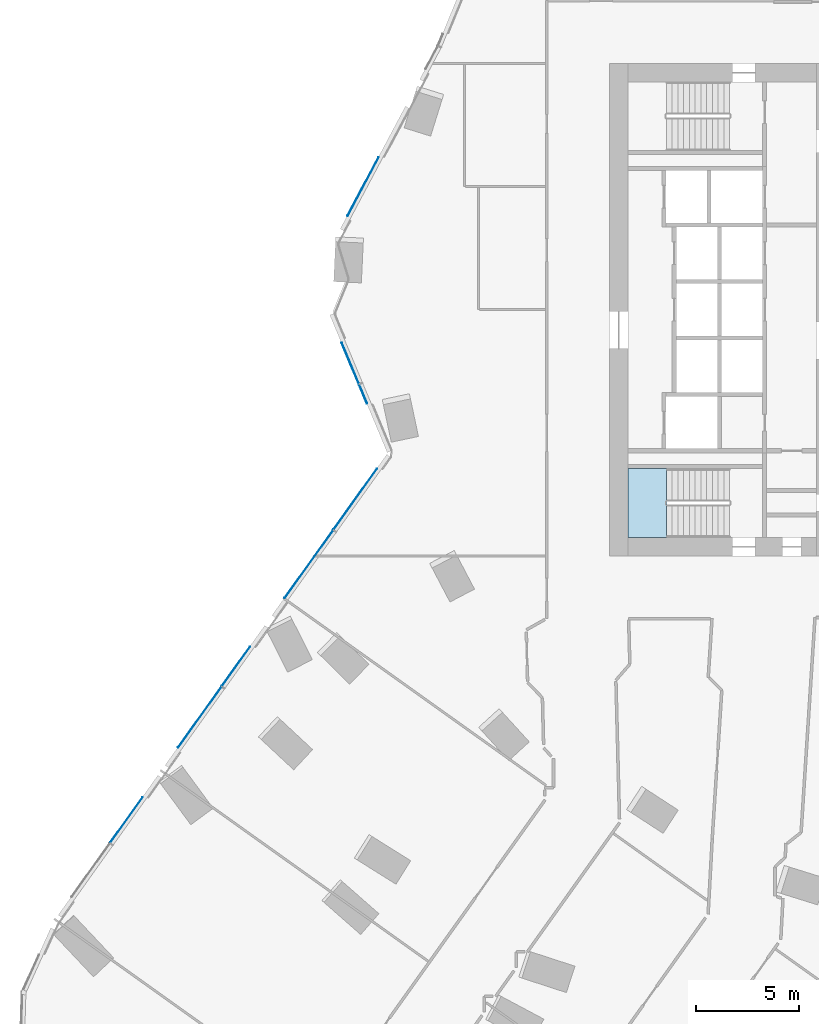
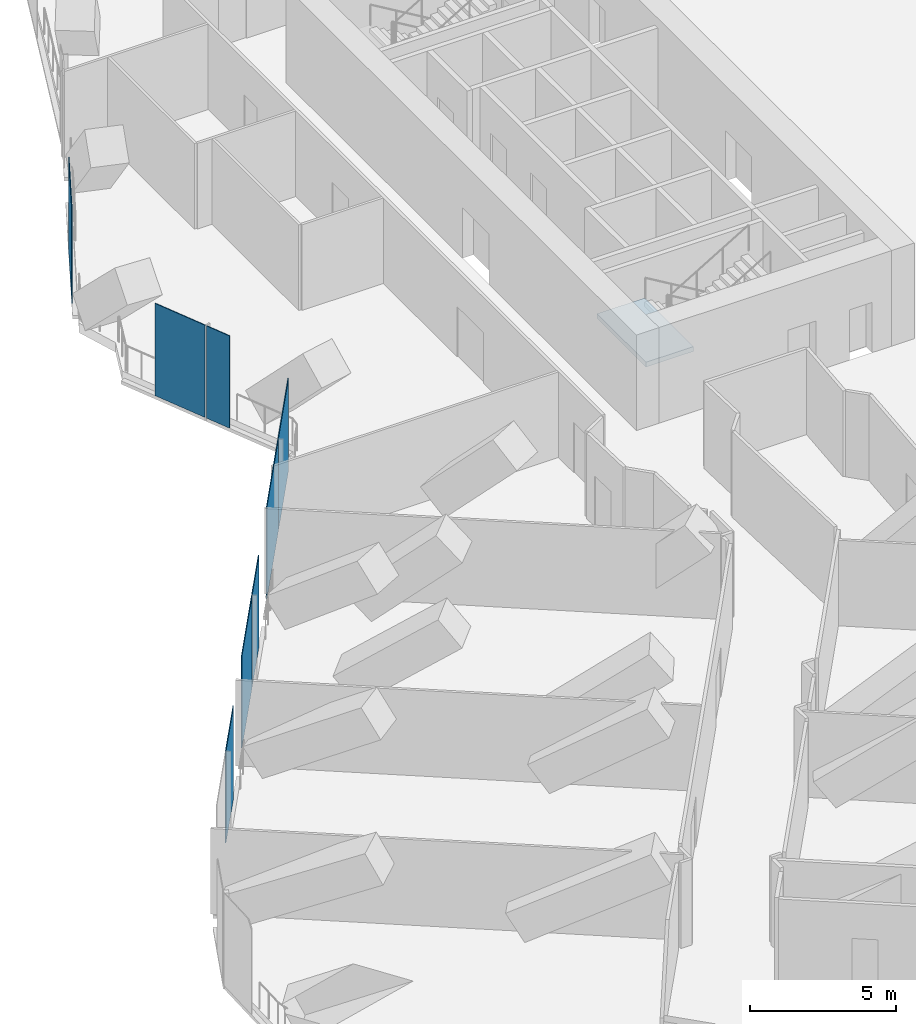
# One storey, part 19 of 34: 8 plates, 1 slab, 4 elements without a shape of their own.
"""IFC4 building model written with IfcOpenShell, lengths in metres."""

from ifc_helpers import new_model, si_unit, direction, frame, origin, origin_2d, place, context, subcontext, project, spatial, polyline, rectangle, outline, extrude, material, layer, layer_set, type_object, element, aggregate, save


model = new_model("IFC4")

# Units and contexts
model_context = context("Model", 3, precision=1e-05, world=origin(), true_north=direction((0.0, 1.0)))
body_context = subcontext(model_context, "Body", "Model", "MODEL_VIEW")
ifc_project = project(units=[si_unit("LENGTHUNIT", "METRE"), si_unit("AREAUNIT", "SQUARE_METRE"), si_unit("VOLUMEUNIT", "CUBIC_METRE"), si_unit("PLANEANGLEUNIT", "RADIAN"), si_unit("MASSUNIT", "GRAM", prefix="KILO")], contexts=[model_context])

# Site, building, storey
site_placement = place(None, origin())
site = spatial("IfcSite", under=ifc_project, at=site_placement, CompositionType="ELEMENT")
building_placement = place(site_placement, origin())
building = spatial("IfcBuilding", under=site, at=building_placement, Name="Orlundy Tower", CompositionType="ELEMENT")
storey_placement = place(building_placement, frame((0.0, 0.0, 98.199951171875)))
storey = spatial("IfcBuildingStorey", under=building, at=storey_placement, Name="L24", CompositionType="ELEMENT", Elevation=98.199951171875)

# Curtain wall, plates
ifc_material_1 = material(Name="Aluminium bronze anodised", Category="aluminium")
curtain_wall_type = type_object("IfcCurtainWallType", Name="CW5 wall", PredefinedType="NOTDEFINED", material=ifc_material_1)
curtain_wall_1_placement = place(storey_placement, origin())
curtain_wall_1 = element("IfcCurtainWall", 1, at=curtain_wall_1_placement, inside=storey, type_object=curtain_wall_type, Name="CW5 run 012", PredefinedType="NOTDEFINED")
ifc_material_2 = material(Name="Tinted glass", Category="glass")
ifc_layer_1 = layer(ifc_material_2, 0.031982421875)
ifc_layer_set_1 = layer_set([ifc_layer_1], Name="CW5 glass panel 32")
plate_type_1 = type_object("IfcPlateType", Name="CW5 glass panel 32", PredefinedType="CURTAIN_PANEL", material=ifc_layer_set_1)
plate_1_placement = place(storey_placement, frame((-42.5244140625, -24.859375, -0.259765625), z_axis=(0.0, 0.0, 1.0), x_axis=(0.580682705509, 0.814129962305, 0.0)))
plate_1 = element("IfcPlate", 2, at=plate_1_placement, type_object=plate_type_1, Name="CW5 panel", PredefinedType="CURTAIN_PANEL", context=body_context, shape_type="SweptSolid", body=[
    extrude(rectangle(XDim=2.717041015625, YDim=0.031982421875, at=origin_2d()), origin(), (0.0, 0.0, 1.0), 3.860107421875),
])
plate_2_placement = place(storey_placement, frame((-37.189453125, -17.37939453125, -0.259765625), z_axis=(0.0, 0.0, 1.0), x_axis=(0.580682705509, 0.814129962305, 0.0)))
plate_2 = element("IfcPlate", 3, at=plate_2_placement, type_object=plate_type_1, Name="CW5 panel", PredefinedType="CURTAIN_PANEL", context=body_context, shape_type="SweptSolid", body=[
    extrude(rectangle(XDim=2.35546875, YDim=0.031982421875, at=origin_2d()), origin(), (0.0, 0.0, 1.0), 3.860107421875),
])
plate_3_placement = place(storey_placement, frame((-33.638916015625, -12.40185546875, -0.259765625), z_axis=(0.0, 0.0, 1.0), x_axis=(0.580682705509, 0.814129962305, 0.0)))
plate_3 = element("IfcPlate", 4, at=plate_3_placement, type_object=plate_type_1, Name="CW5 panel", PredefinedType="CURTAIN_PANEL", context=body_context, shape_type="SweptSolid", body=[
    extrude(rectangle(XDim=4.052734375, YDim=0.031982421875, at=origin_2d()), origin(), (0.0, 0.0, 1.0), 3.860107421875),
])

curtain_wall_2_placement = place(storey_placement, origin())
curtain_wall_2 = element("IfcCurtainWall", 5, at=curtain_wall_2_placement, inside=storey, type_object=curtain_wall_type, Name="CW5 run 013", PredefinedType="NOTDEFINED")
plate_4_placement = place(storey_placement, frame((-30.994384765625, -4.1103515625, -0.259765625), z_axis=(0.0, 0.0, 1.0), x_axis=(-0.385305396099, 0.922789115528, 0.0)))
plate_4 = element("IfcPlate", 6, at=plate_4_placement, type_object=plate_type_1, Name="CW5 panel", PredefinedType="CURTAIN_PANEL", context=body_context, shape_type="SweptSolid", body=[
    extrude(rectangle(XDim=0.990234375, YDim=0.031982421875, at=origin_2d()), origin(), (0.0, 0.0, 1.0), 3.860107421875),
])
plate_5_placement = place(storey_placement, frame((-31.621826171875, -2.60791015625, -0.259765625), z_axis=(0.0, 0.0, 1.0), x_axis=(-0.385305396099, 0.922789115528, 0.0)))
plate_5 = element("IfcPlate", 7, at=plate_5_placement, type_object=plate_type_1, Name="CW5 panel", PredefinedType="CURTAIN_PANEL", context=body_context, shape_type="SweptSolid", body=[
    extrude(rectangle(XDim=2.166015625, YDim=0.031982421875, at=origin_2d()), origin(), (0.0, 0.0, 1.0), 3.860107421875),
])
aggregate(curtain_wall_2, [plate_4, plate_5])

# Curtain wall, plate
curtain_wall_3_placement = place(storey_placement, origin())
curtain_wall_3 = element("IfcCurtainWall", 8, at=curtain_wall_3_placement, inside=storey, type_object=curtain_wall_type, Name="CW5 run 016", PredefinedType="NOTDEFINED")
plate_6_placement = place(storey_placement, frame((-30.998046875, 5.993896484375, -0.259765625), z_axis=(0.0, 0.0, 1.0), x_axis=(0.46945376658, 0.882957055039, 0.0)))
plate_6 = element("IfcPlate", 9, at=plate_6_placement, type_object=plate_type_1, Name="CW5 panel", PredefinedType="CURTAIN_PANEL", context=body_context, shape_type="SweptSolid", body=[
    extrude(rectangle(XDim=3.235595703125, YDim=0.031982421875, at=origin_2d()), origin(), (0.0, 0.0, 1.0), 3.860107421875),
])
aggregate(curtain_wall_3, [plate_6])

# Plate
ifc_material_3 = material(Name="Tinted glass", Category="glass")
ifc_layer_2 = layer(ifc_material_3, 0.031982421875)
ifc_layer_set_2 = layer_set([ifc_layer_2], Name="CW5 vent panel 32")
plate_type_2 = type_object("IfcPlateType", Name="CW5 vent panel 32", PredefinedType="CURTAIN_PANEL", material=ifc_layer_set_2)
plate_7_placement = place(storey_placement, frame((-38.9541015625, -19.853759765625, -0.259765625), z_axis=(0.0, 0.0, 1.0), x_axis=(0.580682705509, 0.814129962305, 0.0)))
plate_7 = element("IfcPlate", 10, at=plate_7_placement, type_object=plate_type_2, Name="CW5 panel", PredefinedType="CURTAIN_PANEL", context=body_context, shape_type="SweptSolid", body=[
    extrude(rectangle(XDim=3.622802734375, YDim=0.031982421875, at=origin_2d()), origin(), (0.0, 0.0, 1.0), 3.860107421875),
])

plate_8_placement = place(storey_placement, frame((-31.37744140625, -9.23095703125, -0.259765625), z_axis=(0.0, 0.0, 1.0), x_axis=(0.580682705509, 0.814129962305, 0.0)))
plate_8 = element("IfcPlate", 11, at=plate_8_placement, type_object=plate_type_2, Name="CW5 panel", PredefinedType="CURTAIN_PANEL", context=body_context, shape_type="SweptSolid", body=[
    extrude(rectangle(XDim=3.636474609375, YDim=0.031982421875, at=origin_2d()), origin(), (0.0, 0.0, 1.0), 3.860107421875),
])

aggregate(curtain_wall_1, [plate_1, plate_7, plate_2, plate_3, plate_8])

# Stair, slab
ifc_material_4 = material(Name="Concrete C50/60", Category="concrete")
stair_type = type_object("IfcStairType", Name="Exit Stair 24 risers", PredefinedType="HALF_TURN_STAIR", material=ifc_material_4)
stair_placement = place(storey_placement, origin())
stair = element("IfcStair", 12, at=stair_placement, inside=storey, type_object=stair_type, Name="L24 Exit Stair ST-W2", PredefinedType="HALF_TURN_STAIR")
ifc_material_5 = material(Name="Concrete C50/60", Category="concrete")
ifc_layer_3 = layer(ifc_material_5, 0.199951171875)
ifc_layer_set_3 = layer_set([ifc_layer_3], Name="Exit Stair Landing")
slab_type = type_object("IfcSlabType", Name="Exit Stair Landing", PredefinedType="LANDING", material=ifc_layer_set_3)
slab_placement = place(storey_placement, frame((0.0, 0.0, 1.800048828125)))
slab = element("IfcSlab", 13, at=slab_placement, type_object=slab_type, Name="ST-W2 landing 1", PredefinedType="LANDING", context=body_context, shape_type="SweptSolid", body=[
    extrude(outline(polyline([(-16.219970703125, -7.75), (-18.10009765625, -7.75), (-18.10009765625, -11.10009765625), (-16.219970703125, -11.10009765625), (-16.219970703125, -7.75)])), origin(), (0.0, 0.0, 1.0), 0.199951171875),
])
aggregate(stair, [slab])

save(model, "model.ifc")
